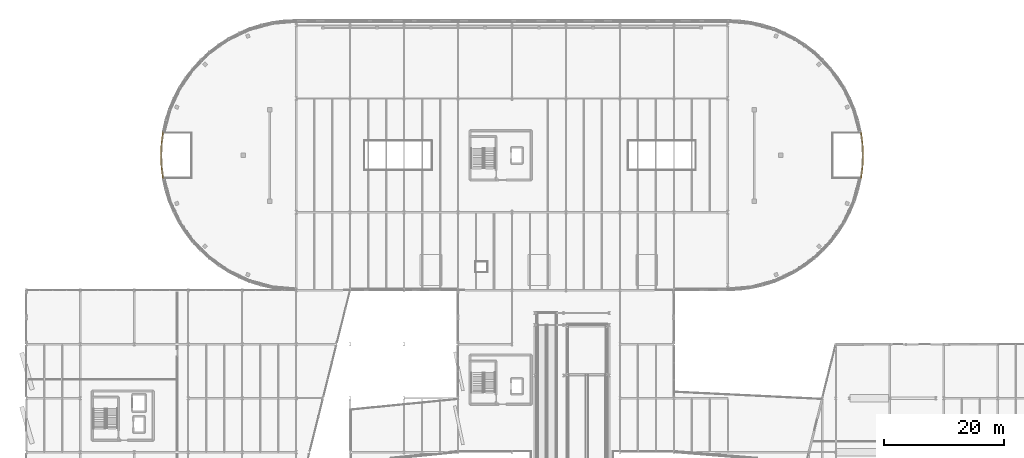
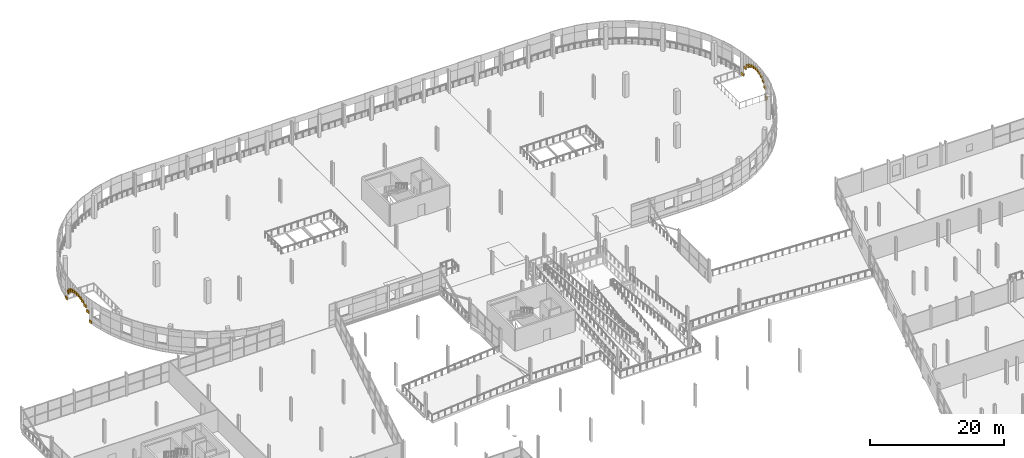
# One storey, part 135 of 135: 24 coverings.
"""IFC4 building model written with IfcOpenShell, lengths in metres."""

from ifc_helpers import new_model, si_unit, direction, frame, origin, origin_2d, place, context, subcontext, project, spatial, rectangle, extrude, material, layer, layer_set, type_object, element, save


model = new_model("IFC4")

# Units and contexts
model_context = context("Model", 3, precision=1e-05, world=origin(), true_north=direction((0.0, 1.0)))
body_context = subcontext(model_context, "Body", "Model", "MODEL_VIEW")
ifc_project = project(units=[si_unit("LENGTHUNIT", "METRE"), si_unit("AREAUNIT", "SQUARE_METRE"), si_unit("VOLUMEUNIT", "CUBIC_METRE"), si_unit("PLANEANGLEUNIT", "RADIAN"), si_unit("MASSUNIT", "GRAM", prefix="KILO")], contexts=[model_context])

# Site, building, storey
site_placement = place(None, origin())
site = spatial("IfcSite", under=ifc_project, at=site_placement, CompositionType="ELEMENT")
building_placement = place(site_placement, origin())
building = spatial("IfcBuilding", under=site, at=building_placement, Name="Deido Ridge Mobility Hub", CompositionType="ELEMENT")
storey_placement = place(building_placement, frame((0.0, 0.0, 4.199951171875)))
storey = spatial("IfcBuildingStorey", under=building, at=storey_placement, Name="L01", CompositionType="ELEMENT", Elevation=4.199951171875)

# Coverings
ifc_material = material(Name="Fired clay brick masonry", Category="masonry")
ifc_layer = layer(ifc_material, 0.114990234375, Name="Fired clay brick masonry")
ifc_layer_set = layer_set([ifc_layer], Name="Fired clay brick masonry")
covering_type = type_object("IfcCoveringType", Name="COV-BRK-SCREEN-115", PredefinedType="CLADDING", material=ifc_layer_set)
for number, where, z_axis, x_axis, name in (
    (1, (139.19384765625, 99.921142578125, 0.0), (0.0, 0.0, 1.0), (0.130543496177, 0.991442583111, 0.0), "Raised brick arch voussoir ring BKS1 (L01)"),
    (2, (139.279052734375, 100.56689453125, 1.504150390625), (0.0, 0.0, 1.0), (0.130543496177, 0.991442583111, 0.0), "Raised brick arch voussoir ring BKS1 (L01)"),
    (3, (139.364013671875, 101.212646484375, 2.18994140625), (0.0, 0.0, 1.0), (0.130543496177, 0.991442583111, 0.0), "Raised brick arch voussoir ring BKS1 (L01)"),
):
    element("IfcCovering", number, at=place(storey_placement, frame(where, z_axis=z_axis, x_axis=x_axis)), inside=storey, type_object=covering_type, Name=name, PredefinedType="CLADDING", context=body_context, shape_type="SweptSolid", body=[
        extrude(rectangle(XDim=0.63818359375, YDim=0.215087890625, at=origin_2d()), origin(), (0.0, 0.0, 1.0), 0.47998046875),
    ])
for number, where, z_axis, x_axis, name in (
    (4, (139.42138671875, 101.869140625, 2.611572265625), (0.0, 0.0, 1.0), (0.043601950678, 0.999048982732, 0.0), "Raised brick arch voussoir ring BKS1 (L01)"),
    (5, (139.44970703125, 102.519775390625, 2.865234375), (0.0, 0.0, 1.0), (0.043601950678, 0.999048982732, 0.0), "Raised brick arch voussoir ring BKS1 (L01)"),
    (6, (139.478271484375, 103.170654296875, 2.9853515625), (0.0, 0.0, 1.0), (0.043601950678, 0.999048982732, 0.0), "Raised brick arch voussoir ring BKS1 (L01)"),
    (7, (139.478271484375, 103.829345703125, 2.9853515625), (0.0, 0.0, 1.0), (-0.043601950678, 0.999048982732, 0.0), "Raised brick arch voussoir ring BKS1 (L01)"),
    (8, (139.44970703125, 104.480224609375, 2.865234375), (0.0, 0.0, 1.0), (-0.043601950678, 0.999048982732, 0.0), "Raised brick arch voussoir ring BKS1 (L01)"),
    (9, (139.42138671875, 105.130859375, 2.611572265625), (0.0, 0.0, 1.0), (-0.043601950678, 0.999048982732, 0.0), "Raised brick arch voussoir ring BKS1 (L01)"),
):
    element("IfcCovering", number, at=place(storey_placement, frame(where, z_axis=z_axis, x_axis=x_axis)), inside=storey, type_object=covering_type, Name=name, PredefinedType="CLADDING", context=body_context, shape_type="SweptSolid", body=[
        extrude(rectangle(XDim=0.638427734375, YDim=0.215087890625, at=origin_2d()), origin(), (0.0, 0.0, 1.0), 0.47998046875),
    ])
for number, where, z_axis, x_axis, name in (
    (10, (139.364013671875, 105.787353515625, 2.18994140625), (0.0, 0.0, 1.0), (-0.130543496177, 0.991442583111, 0.0), "Raised brick arch voussoir ring BKS1 (L01)"),
    (11, (139.279052734375, 106.43310546875, 1.504150390625), (0.0, 0.0, 1.0), (-0.130543496177, 0.991442583111, 0.0), "Raised brick arch voussoir ring BKS1 (L01)"),
    (12, (139.19384765625, 107.078857421875, 0.0), (0.0, 0.0, 1.0), (-0.130543496177, 0.991442583111, 0.0), "Raised brick arch voussoir ring BKS1 (L01)"),
    (13, (22.80615234375, 107.078857421875, 0.0), (0.0, 0.0, 1.0), (-0.130543496177, -0.991442583111, 0.0), "Raised brick arch voussoir ring BKS1 (L01)"),
    (14, (22.720947265625, 106.43310546875, 1.504150390625), (0.0, 0.0, 1.0), (-0.130543496177, -0.991442583111, 0.0), "Raised brick arch voussoir ring BKS1 (L01)"),
    (15, (22.635986328125, 105.787353515625, 2.18994140625), (0.0, 0.0, 1.0), (-0.130543496177, -0.991442583111, 0.0), "Raised brick arch voussoir ring BKS1 (L01)"),
):
    element("IfcCovering", number, at=place(storey_placement, frame(where, z_axis=z_axis, x_axis=x_axis)), inside=storey, type_object=covering_type, Name=name, PredefinedType="CLADDING", context=body_context, shape_type="SweptSolid", body=[
        extrude(rectangle(XDim=0.63818359375, YDim=0.215087890625, at=origin_2d()), origin(), (0.0, 0.0, 1.0), 0.47998046875),
    ])
for number, where, z_axis, x_axis, name in (
    (16, (22.57861328125, 105.130859375, 2.611572265625), (0.0, 0.0, 1.0), (-0.043601950678, -0.999048982732, 0.0), "Raised brick arch voussoir ring BKS1 (L01)"),
    (17, (22.55029296875, 104.480224609375, 2.865234375), (0.0, 0.0, 1.0), (-0.043601950678, -0.999048982732, 0.0), "Raised brick arch voussoir ring BKS1 (L01)"),
    (18, (22.521728515625, 103.829345703125, 2.9853515625), (0.0, 0.0, 1.0), (-0.043601950678, -0.999048982732, 0.0), "Raised brick arch voussoir ring BKS1 (L01)"),
    (19, (22.521728515625, 103.170654296875, 2.9853515625), (0.0, 0.0, 1.0), (0.043601950678, -0.999048982732, 0.0), "Raised brick arch voussoir ring BKS1 (L01)"),
    (20, (22.55029296875, 102.519775390625, 2.865234375), (0.0, 0.0, 1.0), (0.043601950678, -0.999048982732, 0.0), "Raised brick arch voussoir ring BKS1 (L01)"),
    (21, (22.57861328125, 101.869140625, 2.611572265625), (0.0, 0.0, 1.0), (0.043601950678, -0.999048982732, 0.0), "Raised brick arch voussoir ring BKS1 (L01)"),
):
    element("IfcCovering", number, at=place(storey_placement, frame(where, z_axis=z_axis, x_axis=x_axis)), inside=storey, type_object=covering_type, Name=name, PredefinedType="CLADDING", context=body_context, shape_type="SweptSolid", body=[
        extrude(rectangle(XDim=0.638427734375, YDim=0.215087890625, at=origin_2d()), origin(), (0.0, 0.0, 1.0), 0.47998046875),
    ])
for number, where, z_axis, x_axis, name in (
    (22, (22.635986328125, 101.212646484375, 2.18994140625), (0.0, 0.0, 1.0), (0.130543496177, -0.991442583111, 0.0), "Raised brick arch voussoir ring BKS1 (L01)"),
    (23, (22.720947265625, 100.56689453125, 1.504150390625), (0.0, 0.0, 1.0), (0.130543496177, -0.991442583111, 0.0), "Raised brick arch voussoir ring BKS1 (L01)"),
    (24, (22.80615234375, 99.921142578125, 0.0), (0.0, 0.0, 1.0), (0.130543496177, -0.991442583111, 0.0), "Raised brick arch voussoir ring BKS1 (L01)"),
):
    element("IfcCovering", number, at=place(storey_placement, frame(where, z_axis=z_axis, x_axis=x_axis)), inside=storey, type_object=covering_type, Name=name, PredefinedType="CLADDING", context=body_context, shape_type="SweptSolid", body=[
        extrude(rectangle(XDim=0.63818359375, YDim=0.215087890625, at=origin_2d()), origin(), (0.0, 0.0, 1.0), 0.47998046875),
    ])

save(model, "model.ifc")
